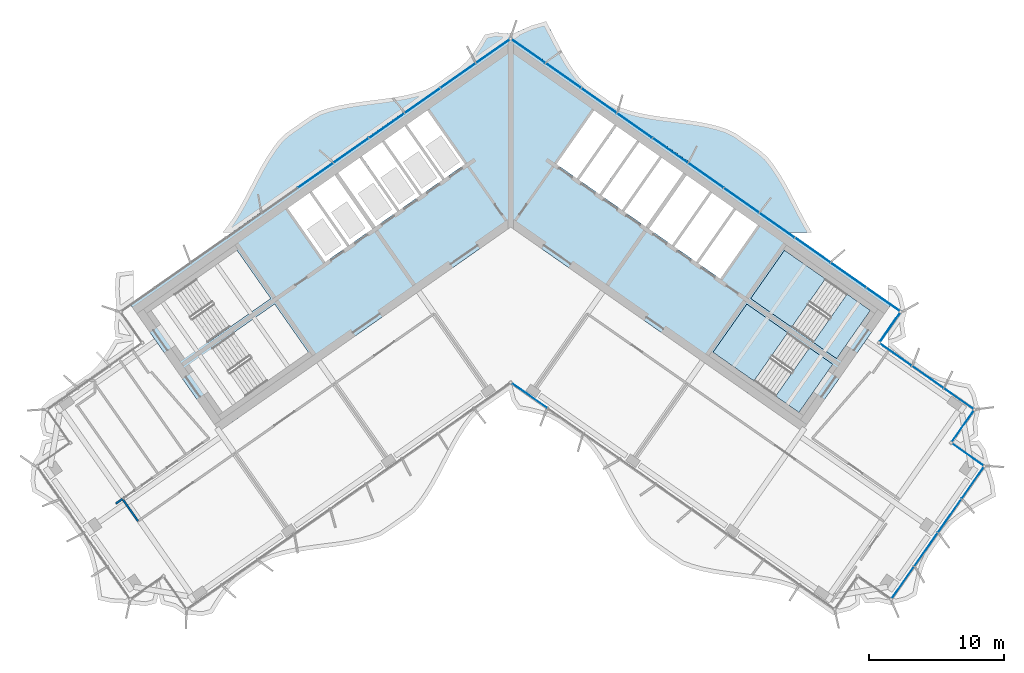
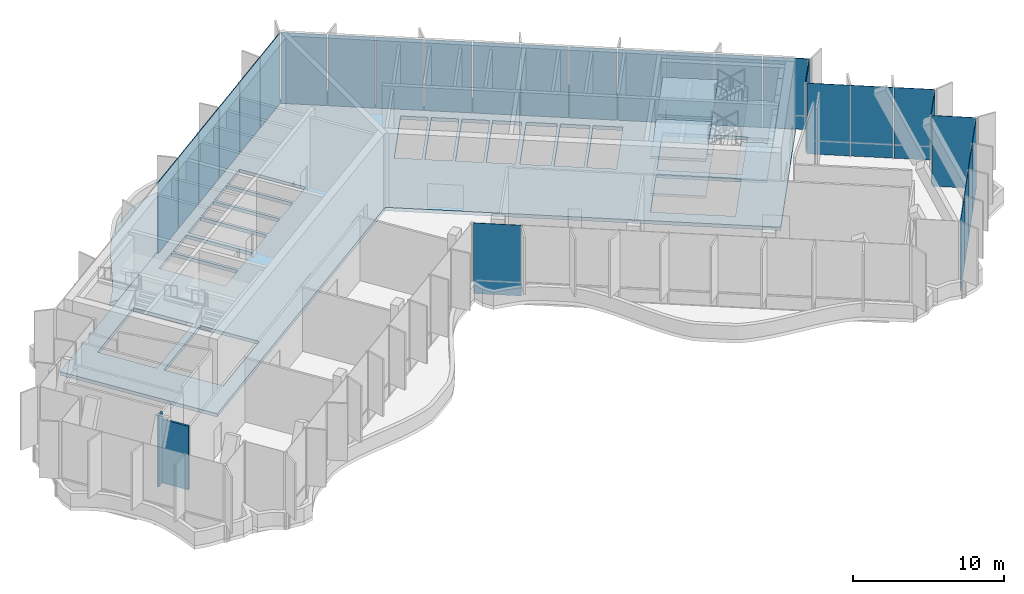
# One storey, part 11 of 22: 28 plates, 8 slabs, 2 walls, 4 elements without a shape of their own.
"""IFC4 building model written with IfcOpenShell, lengths in metres."""

from ifc_helpers import new_model, si_unit, direction, frame, frame_2d, origin, origin_2d, place, context, subcontext, project, spatial, polyline, rectangle, outline, extrude, material, layer, layer_set, type_object, element, aggregate, save


model = new_model("IFC4")

# Units and contexts
model_context = context("Model", 3, precision=1e-05, world=origin(), true_north=direction((0.0, 1.0)))
body_context = subcontext(model_context, "Body", "Model", "MODEL_VIEW")
ifc_project = project(units=[si_unit("LENGTHUNIT", "METRE"), si_unit("AREAUNIT", "SQUARE_METRE"), si_unit("VOLUMEUNIT", "CUBIC_METRE"), si_unit("PLANEANGLEUNIT", "RADIAN"), si_unit("MASSUNIT", "GRAM", prefix="KILO")], contexts=[model_context])

# Site, building, storey
site_placement = place(None, origin())
site = spatial("IfcSite", under=ifc_project, at=site_placement, CompositionType="ELEMENT")
building_placement = place(site_placement, origin())
building = spatial("IfcBuilding", under=site, at=building_placement, Name="Tel Ilan Convention Tower", CompositionType="ELEMENT")
storey_placement = place(building_placement, frame((0.0, 0.0, 219.39990234375)))
storey = spatial("IfcBuildingStorey", under=building, at=storey_placement, Name="L51", CompositionType="ELEMENT", Elevation=219.39990234375)

# Curtain wall, plates
ifc_material_1 = material(Name="Aluminium, bronze anodised", Category="aluminium")
curtain_wall_type_1 = type_object("IfcCurtainWallType", Name="CW2 STICK CURTAIN WALL, SPANDREL PANELS", PredefinedType="NOTDEFINED", material=ifc_material_1)
curtain_wall_1_placement = place(storey_placement, origin())
curtain_wall_1 = element("IfcCurtainWall", 1, at=curtain_wall_1_placement, inside=storey, type_object=curtain_wall_type_1, Name="Curtain wall CW2-40.01", PredefinedType="NOTDEFINED")
ifc_material_2 = material(Name="Aluminium composite panel, bronze anodised", Category="aluminium")
ifc_layer_1 = layer(ifc_material_2, 0.06005859375)
ifc_layer_set_1 = layer_set([ifc_layer_1], Name="CW SPANDREL PANEL 60")
plate_type_1 = type_object("IfcPlateType", Name="CW SPANDREL PANEL 60", PredefinedType="CURTAIN_PANEL", material=ifc_layer_set_1)
plate_1_placement = place(storey_placement, frame((28.033935546875, -8.60546875, 0.0), z_axis=(0.0, 0.0, 1.0), x_axis=(0.573576436351, 0.819152044289, 0.0)))
plate_1 = element("IfcPlate", 2, at=plate_1_placement, type_object=plate_type_1, Name="Spandrel panel", PredefinedType="CURTAIN_PANEL", context=body_context, shape_type="SweptSolid", body=[
    extrude(rectangle(XDim=2.658935546875, YDim=0.06005859375, at=origin_2d()), origin(), (0.0, 0.0, 1.0), 5.719970703125),
])
plate_2_placement = place(storey_placement, frame((27.5400390625, -6.587646484375, 0.0), z_axis=(0.0, 0.0, 1.0), x_axis=(-0.819152044289, 0.573576436351, 0.0)))
plate_2 = element("IfcPlate", 3, at=plate_2_placement, type_object=plate_type_1, Name="Spandrel panel", PredefinedType="CURTAIN_PANEL", context=body_context, shape_type="SweptSolid", body=[
    extrude(rectangle(XDim=3.0439453125, YDim=0.06005859375, at=origin_2d()), origin(), (0.0, 0.0, 1.0), 5.719970703125),
])
plate_3_placement = place(storey_placement, frame((24.95263671875, -4.77587890625, 0.0), z_axis=(0.0, 0.0, 1.0), x_axis=(-0.819152044289, 0.573576436351, 0.0)))
plate_3 = element("IfcPlate", 4, at=plate_3_placement, type_object=plate_type_1, Name="Spandrel panel", PredefinedType="CURTAIN_PANEL", context=body_context, shape_type="SweptSolid", body=[
    extrude(rectangle(XDim=3.15380859375, YDim=0.06005859375, at=origin_2d()), origin(), (0.0, 0.0, 1.0), 5.719970703125),
])
plate_4_placement = place(storey_placement, frame((22.31982421875, -2.9326171875, 0.0), z_axis=(0.0, 0.0, 1.0), x_axis=(-0.819152044289, 0.573576436351, 0.0)))
plate_4 = element("IfcPlate", 5, at=plate_4_placement, type_object=plate_type_1, Name="Spandrel panel", PredefinedType="CURTAIN_PANEL", context=body_context, shape_type="SweptSolid", body=[
    extrude(rectangle(XDim=3.15380859375, YDim=0.06005859375, at=origin_2d()), origin(), (0.0, 0.0, 1.0), 5.719970703125),
])
plate_5_placement = place(storey_placement, frame((19.687255859375, -1.089111328125, 0.0), z_axis=(0.0, 0.0, 1.0), x_axis=(-0.819152044289, 0.573576436351, 0.0)))
plate_5 = element("IfcPlate", 6, at=plate_5_placement, type_object=plate_type_1, Name="Spandrel panel", PredefinedType="CURTAIN_PANEL", context=body_context, shape_type="SweptSolid", body=[
    extrude(rectangle(XDim=3.15380859375, YDim=0.06005859375, at=origin_2d()), origin(), (0.0, 0.0, 1.0), 5.719970703125),
])
plate_6_placement = place(storey_placement, frame((17.0546875, 0.754150390625, 0.0), z_axis=(0.0, 0.0, 1.0), x_axis=(-0.819152044289, 0.573576436351, 0.0)))
plate_6 = element("IfcPlate", 7, at=plate_6_placement, type_object=plate_type_1, Name="Spandrel panel", PredefinedType="CURTAIN_PANEL", context=body_context, shape_type="SweptSolid", body=[
    extrude(rectangle(XDim=3.15380859375, YDim=0.06005859375, at=origin_2d()), origin(), (0.0, 0.0, 1.0), 5.719970703125),
])
plate_7_placement = place(storey_placement, frame((14.422119140625, 2.59765625, 0.0), z_axis=(0.0, 0.0, 1.0), x_axis=(-0.819152044289, 0.573576436351, 0.0)))
plate_7 = element("IfcPlate", 8, at=plate_7_placement, type_object=plate_type_1, Name="Spandrel panel", PredefinedType="CURTAIN_PANEL", context=body_context, shape_type="SweptSolid", body=[
    extrude(rectangle(XDim=3.15380859375, YDim=0.06005859375, at=origin_2d()), origin(), (0.0, 0.0, 1.0), 5.719970703125),
])
plate_8_placement = place(storey_placement, frame((11.789306640625, 4.44091796875, 0.0), z_axis=(0.0, 0.0, 1.0), x_axis=(-0.819152044289, 0.573576436351, 0.0)))
plate_8 = element("IfcPlate", 9, at=plate_8_placement, type_object=plate_type_1, Name="Spandrel panel", PredefinedType="CURTAIN_PANEL", context=body_context, shape_type="SweptSolid", body=[
    extrude(rectangle(XDim=3.15380859375, YDim=0.06005859375, at=origin_2d()), origin(), (0.0, 0.0, 1.0), 5.719970703125),
])
plate_9_placement = place(storey_placement, frame((9.15673828125, 6.284423828125, 0.0), z_axis=(0.0, 0.0, 1.0), x_axis=(-0.819152044289, 0.573576436351, 0.0)))
plate_9 = element("IfcPlate", 10, at=plate_9_placement, type_object=plate_type_1, Name="Spandrel panel", PredefinedType="CURTAIN_PANEL", context=body_context, shape_type="SweptSolid", body=[
    extrude(rectangle(XDim=3.15380859375, YDim=0.06005859375, at=origin_2d()), origin(), (0.0, 0.0, 1.0), 5.719970703125),
])
plate_10_placement = place(storey_placement, frame((6.524169921875, 8.127685546875, 0.0), z_axis=(0.0, 0.0, 1.0), x_axis=(-0.819152044289, 0.573576436351, 0.0)))
plate_10 = element("IfcPlate", 11, at=plate_10_placement, type_object=plate_type_1, Name="Spandrel panel", PredefinedType="CURTAIN_PANEL", context=body_context, shape_type="SweptSolid", body=[
    extrude(rectangle(XDim=3.15380859375, YDim=0.06005859375, at=origin_2d()), origin(), (0.0, 0.0, 1.0), 5.719970703125),
])
plate_11_placement = place(storey_placement, frame((3.8916015625, 9.97119140625, 0.0), z_axis=(0.0, 0.0, 1.0), x_axis=(-0.819152044289, 0.573576436351, 0.0)))
plate_11 = element("IfcPlate", 12, at=plate_11_placement, type_object=plate_type_1, Name="Spandrel panel", PredefinedType="CURTAIN_PANEL", context=body_context, shape_type="SweptSolid", body=[
    extrude(rectangle(XDim=3.15380859375, YDim=0.06005859375, at=origin_2d()), origin(), (0.0, 0.0, 1.0), 5.719970703125),
])
plate_12_placement = place(storey_placement, frame((1.303955078125, 11.782958984375, 0.0), z_axis=(0.0, 0.0, 1.0), x_axis=(-0.819152044289, 0.573576436351, 0.0)))
plate_12 = element("IfcPlate", 13, at=plate_12_placement, type_object=plate_type_1, Name="Spandrel panel", PredefinedType="CURTAIN_PANEL", context=body_context, shape_type="SweptSolid", body=[
    extrude(rectangle(XDim=3.0439453125, YDim=0.06005859375, at=origin_2d()), origin(), (0.0, 0.0, 1.0), 5.719970703125),
])
plate_13_placement = place(storey_placement, frame((-1.303955078125, 11.782958984375, 0.0), z_axis=(0.0, 0.0, 1.0), x_axis=(-0.819152044289, -0.573576436351, 0.0)))
plate_13 = element("IfcPlate", 14, at=plate_13_placement, type_object=plate_type_1, Name="Spandrel panel", PredefinedType="CURTAIN_PANEL", context=body_context, shape_type="SweptSolid", body=[
    extrude(rectangle(XDim=3.0439453125, YDim=0.06005859375, at=origin_2d()), origin(), (0.0, 0.0, 1.0), 5.719970703125),
])
plate_14_placement = place(storey_placement, frame((-3.8916015625, 9.97119140625, 0.0), z_axis=(0.0, 0.0, 1.0), x_axis=(-0.819152044289, -0.573576436351, 0.0)))
plate_14 = element("IfcPlate", 15, at=plate_14_placement, type_object=plate_type_1, Name="Spandrel panel", PredefinedType="CURTAIN_PANEL", context=body_context, shape_type="SweptSolid", body=[
    extrude(rectangle(XDim=3.15380859375, YDim=0.06005859375, at=origin_2d()), origin(), (0.0, 0.0, 1.0), 5.719970703125),
])
plate_15_placement = place(storey_placement, frame((-6.524169921875, 8.127685546875, 0.0), z_axis=(0.0, 0.0, 1.0), x_axis=(-0.819152044289, -0.573576436351, 0.0)))
plate_15 = element("IfcPlate", 16, at=plate_15_placement, type_object=plate_type_1, Name="Spandrel panel", PredefinedType="CURTAIN_PANEL", context=body_context, shape_type="SweptSolid", body=[
    extrude(rectangle(XDim=3.15380859375, YDim=0.06005859375, at=origin_2d()), origin(), (0.0, 0.0, 1.0), 5.719970703125),
])
plate_16_placement = place(storey_placement, frame((-9.15673828125, 6.284423828125, 0.0), z_axis=(0.0, 0.0, 1.0), x_axis=(-0.819152044289, -0.573576436351, 0.0)))
plate_16 = element("IfcPlate", 17, at=plate_16_placement, type_object=plate_type_1, Name="Spandrel panel", PredefinedType="CURTAIN_PANEL", context=body_context, shape_type="SweptSolid", body=[
    extrude(rectangle(XDim=3.15380859375, YDim=0.06005859375, at=origin_2d()), origin(), (0.0, 0.0, 1.0), 5.719970703125),
])
plate_17_placement = place(storey_placement, frame((-11.789306640625, 4.44091796875, 0.0), z_axis=(0.0, 0.0, 1.0), x_axis=(-0.819152044289, -0.573576436351, 0.0)))
plate_17 = element("IfcPlate", 18, at=plate_17_placement, type_object=plate_type_1, Name="Spandrel panel", PredefinedType="CURTAIN_PANEL", context=body_context, shape_type="SweptSolid", body=[
    extrude(rectangle(XDim=3.15380859375, YDim=0.06005859375, at=origin_2d()), origin(), (0.0, 0.0, 1.0), 5.719970703125),
])
plate_18_placement = place(storey_placement, frame((-14.422119140625, 2.59765625, 0.0), z_axis=(0.0, 0.0, 1.0), x_axis=(-0.819152044289, -0.573576436351, 0.0)))
plate_18 = element("IfcPlate", 19, at=plate_18_placement, type_object=plate_type_1, Name="Spandrel panel", PredefinedType="CURTAIN_PANEL", context=body_context, shape_type="SweptSolid", body=[
    extrude(rectangle(XDim=3.15380859375, YDim=0.06005859375, at=origin_2d()), origin(), (0.0, 0.0, 1.0), 5.719970703125),
])
aggregate(curtain_wall_1, [plate_1, plate_2, plate_3, plate_4, plate_5, plate_6, plate_7, plate_8, plate_9, plate_10, plate_11, plate_12, plate_13, plate_14, plate_15, plate_16, plate_17, plate_18])

ifc_material_3 = material(Name="Aluminium, bronze anodised", Category="aluminium")
curtain_wall_type_2 = type_object("IfcCurtainWallType", Name="CW5 STICK CURTAIN WALL, UPPER OFFICE LOW-IRON TINTED GLASS", PredefinedType="NOTDEFINED", material=ifc_material_3)
curtain_wall_2_placement = place(storey_placement, origin())
curtain_wall_2 = element("IfcCurtainWall", 20, at=curtain_wall_2_placement, inside=storey, type_object=curtain_wall_type_2, Name="Curtain wall CW5-40.02", PredefinedType="NOTDEFINED")
ifc_material_4 = material(Name="Glass, low-iron bronze tinted, two-ply", Category="glass")
ifc_layer_2 = layer(ifc_material_4, 0.031982421875)
ifc_layer_set_2 = layer_set([ifc_layer_2], Name="CW UPPER GLASS PANEL 32")
plate_type_2 = type_object("IfcPlateType", Name="CW UPPER GLASS PANEL 32", PredefinedType="CURTAIN_PANEL", material=ifc_layer_set_2)
plate_19_placement = place(storey_placement, frame((1.400390625, -13.676513671875, 0.0), z_axis=(0.0, 0.0, 1.0), x_axis=(0.819152044289, -0.573576436351, 0.0)))
plate_19 = element("IfcPlate", 21, at=plate_19_placement, type_object=plate_type_2, Name="Glass panel", PredefinedType="CURTAIN_PANEL", context=body_context, shape_type="SweptSolid", body=[
    extrude(rectangle(XDim=3.16064453125, YDim=0.028076171875, at=origin_2d()), origin(), (0.0, 0.0, 1.0), 5.719970703125),
])
plate_20_placement = place(storey_placement, frame((28.956298828125, -27.51220703125, 0.0), z_axis=(0.0, 0.0, 1.0), x_axis=(0.573576436351, 0.819152044289, 0.0)))
plate_20 = element("IfcPlate", 22, at=plate_20_placement, type_object=plate_type_2, Name="Glass panel", PredefinedType="CURTAIN_PANEL", context=body_context, shape_type="SweptSolid", body=[
    extrude(rectangle(XDim=2.89599609375, YDim=0.028076171875, at=origin_2d()), origin(), (0.0, 0.0, 1.0), 5.719970703125),
])
plate_21_placement = place(storey_placement, frame((30.6787109375, -25.05224609375, 0.0), z_axis=(0.0, 0.0, 1.0), x_axis=(0.573576436351, 0.819152044289, 0.0)))
plate_21 = element("IfcPlate", 23, at=plate_21_placement, type_object=plate_type_2, Name="Glass panel", PredefinedType="CURTAIN_PANEL", context=body_context, shape_type="SweptSolid", body=[
    extrude(rectangle(XDim=2.989990234375, YDim=0.028076171875, at=origin_2d()), origin(), (0.0, 0.0, 1.0), 5.719970703125),
])
plate_22_placement = place(storey_placement, frame((32.42822265625, -22.553955078125, 0.0), z_axis=(0.0, 0.0, 1.0), x_axis=(0.573576436351, 0.819152044289, 0.0)))
plate_22 = element("IfcPlate", 24, at=plate_22_placement, type_object=plate_type_2, Name="Glass panel", PredefinedType="CURTAIN_PANEL", context=body_context, shape_type="SweptSolid", body=[
    extrude(rectangle(XDim=2.989990234375, YDim=0.028076171875, at=origin_2d()), origin(), (0.0, 0.0, 1.0), 5.719970703125),
])
plate_23_placement = place(storey_placement, frame((34.150634765625, -20.093994140625, 0.0), z_axis=(0.0, 0.0, 1.0), x_axis=(0.573576436351, 0.819152044289, 0.0)))
plate_23 = element("IfcPlate", 25, at=plate_23_placement, type_object=plate_type_2, Name="Glass panel", PredefinedType="CURTAIN_PANEL", context=body_context, shape_type="SweptSolid", body=[
    extrude(rectangle(XDim=2.89599609375, YDim=0.028076171875, at=origin_2d()), origin(), (0.0, 0.0, 1.0), 5.719970703125),
])
plate_24_placement = place(storey_placement, frame((33.7978515625, -18.0498046875, 0.0), z_axis=(0.0, 0.0, 1.0), x_axis=(-0.819152044289, 0.573576436351, 0.0)))
plate_24 = element("IfcPlate", 26, at=plate_24_placement, type_object=plate_type_2, Name="Glass panel", PredefinedType="CURTAIN_PANEL", context=body_context, shape_type="SweptSolid", body=[
    extrude(rectangle(XDim=2.875, YDim=0.028076171875, at=origin_2d()), origin(), (0.0, 0.0, 1.0), 5.719970703125),
])
plate_25_placement = place(storey_placement, frame((33.419921875, -15.9072265625, 0.0), z_axis=(0.0, 0.0, 1.0), x_axis=(0.573576436351, 0.819152044289, 0.0)))
plate_25 = element("IfcPlate", 27, at=plate_25_placement, type_object=plate_type_2, Name="Glass panel", PredefinedType="CURTAIN_PANEL", context=body_context, shape_type="SweptSolid", body=[
    extrude(rectangle(XDim=2.875, YDim=0.028076171875, at=origin_2d()), origin(), (0.0, 0.0, 1.0), 5.719970703125),
])
plate_26_placement = place(storey_placement, frame((33.12744140625, -13.918212890625, 0.0), z_axis=(0.0, 0.0, 1.0), x_axis=(-0.819152044289, 0.573576436351, 0.0)))
plate_26 = element("IfcPlate", 28, at=plate_26_placement, type_object=plate_type_2, Name="Glass panel", PredefinedType="CURTAIN_PANEL", context=body_context, shape_type="SweptSolid", body=[
    extrude(rectangle(XDim=2.712646484375, YDim=0.028076171875, at=origin_2d()), origin(), (0.0, 0.0, 1.0), 5.719970703125),
])
plate_27_placement = place(storey_placement, frame((30.81787109375, -12.301025390625, 0.0), z_axis=(0.0, 0.0, 1.0), x_axis=(-0.819152044289, 0.573576436351, 0.0)))
plate_27 = element("IfcPlate", 29, at=plate_27_placement, type_object=plate_type_2, Name="Glass panel", PredefinedType="CURTAIN_PANEL", context=body_context, shape_type="SweptSolid", body=[
    extrude(rectangle(XDim=2.806640625, YDim=0.028076171875, at=origin_2d()), origin(), (0.0, 0.0, 1.0), 5.719970703125),
])
plate_28_placement = place(storey_placement, frame((28.457763671875, -10.6484375, 0.0), z_axis=(0.0, 0.0, 1.0), x_axis=(-0.819152044289, 0.573576436351, 0.0)))
plate_28 = element("IfcPlate", 30, at=plate_28_placement, type_object=plate_type_2, Name="Glass panel", PredefinedType="CURTAIN_PANEL", context=body_context, shape_type="SweptSolid", body=[
    extrude(rectangle(XDim=2.835693359375, YDim=0.028076171875, at=origin_2d()), origin(), (0.0, 0.0, 1.0), 5.719970703125),
])
aggregate(curtain_wall_2, [plate_19, plate_20, plate_21, plate_22, plate_23, plate_24, plate_25, plate_26, plate_27, plate_28])

# Stair, slabs
ifc_material_5 = material(Name="Concrete C40/50", Category="concrete")
stair_type = type_object("IfcStairType", Name="Pressurised Exit Stair 32 risers 188 mm", PredefinedType="HALF_TURN_STAIR", material=ifc_material_5)
stair_1_placement = place(storey_placement, origin())
stair_1 = element("IfcStair", 31, at=stair_1_placement, inside=storey, type_object=stair_type, Name="L51 Pressurised Stair S3", PredefinedType="HALF_TURN_STAIR")
ifc_material_6 = material(Name="Concrete C40/50", Category="concrete")
ifc_layer_3 = layer(ifc_material_6, 0.199951171875)
ifc_layer_set_3 = layer_set([ifc_layer_3], Name="Concrete Stair Landing 200 mm C40/50")
slab_type_1 = type_object("IfcSlabType", Name="Concrete Stair Landing 200 mm", PredefinedType="LANDING", material=ifc_layer_set_3)
slab_1_placement = place(storey_placement, frame((0.0, 0.0, 1.300048828125)))
slab_1 = element("IfcSlab", 32, at=slab_1_placement, type_object=slab_type_1, Name="S3 landing 1", PredefinedType="LANDING", context=body_context, shape_type="SweptSolid", body=[
    extrude(outline(polyline([(23.249755859375, -5.048583984375), (20.226318359375, -2.931640625), (17.7314453125, -6.494873046875), (20.754638671875, -8.61181640625), (23.249755859375, -5.048583984375)])), origin(), (0.0, 0.0, 1.0), 0.199951171875),
])
slab_2_placement = place(storey_placement, frame((0.0, 0.0, 2.800048828125)))
slab_2 = element("IfcSlab", 33, at=slab_2_placement, type_object=slab_type_1, Name="S3 landing 2", PredefinedType="LANDING", context=body_context, shape_type="SweptSolid", body=[
    extrude(outline(polyline([(26.574951171875, -7.376708984375), (24.85400390625, -6.171875), (22.35888671875, -9.735107421875), (24.079833984375, -10.940185546875), (26.574951171875, -7.376708984375)])), origin(), (0.0, 0.0, 1.0), 0.199951171875),
])
slab_3_placement = place(storey_placement, frame((0.0, 0.0, 4.300048828125)))
slab_3 = element("IfcSlab", 34, at=slab_3_placement, type_object=slab_type_1, Name="S3 landing 3", PredefinedType="LANDING", context=body_context, shape_type="SweptSolid", body=[
    extrude(outline(polyline([(23.249755859375, -5.048583984375), (20.226318359375, -2.931640625), (17.7314453125, -6.494873046875), (20.754638671875, -8.61181640625), (23.249755859375, -5.048583984375)])), origin(), (0.0, 0.0, 1.0), 0.199951171875),
])
aggregate(stair_1, [slab_1, slab_2, slab_3])

stair_2_placement = place(storey_placement, origin())
stair_2 = element("IfcStair", 35, at=stair_2_placement, inside=storey, type_object=stair_type, Name="L51 Pressurised Stair S4", PredefinedType="HALF_TURN_STAIR")
slab_4_placement = place(storey_placement, frame((0.0, 0.0, 1.300048828125)))
slab_4 = element("IfcSlab", 36, at=slab_4_placement, type_object=slab_type_1, Name="S4 landing 1", PredefinedType="LANDING", context=body_context, shape_type="SweptSolid", body=[
    extrude(outline(polyline([(20.468017578125, -9.021484375), (17.444580078125, -6.904541015625), (14.949462890625, -10.4677734375), (17.972900390625, -12.584716796875), (20.468017578125, -9.021484375)])), origin(), (0.0, 0.0, 1.0), 0.199951171875),
])
slab_5_placement = place(storey_placement, frame((0.0, 0.0, 2.800048828125)))
slab_5 = element("IfcSlab", 37, at=slab_5_placement, type_object=slab_type_1, Name="S4 landing 2", PredefinedType="LANDING", context=body_context, shape_type="SweptSolid", body=[
    extrude(outline(polyline([(23.79296875, -11.349609375), (22.072021484375, -10.144775390625), (19.5771484375, -13.7080078125), (21.2978515625, -14.9130859375), (23.79296875, -11.349609375)])), origin(), (0.0, 0.0, 1.0), 0.199951171875),
])
slab_6_placement = place(storey_placement, frame((0.0, 0.0, 4.300048828125)))
slab_6 = element("IfcSlab", 38, at=slab_6_placement, type_object=slab_type_1, Name="S4 landing 3", PredefinedType="LANDING", context=body_context, shape_type="SweptSolid", body=[
    extrude(outline(polyline([(20.468017578125, -9.021484375), (17.444580078125, -6.904541015625), (14.949462890625, -10.4677734375), (17.972900390625, -12.584716796875), (20.468017578125, -9.021484375)])), origin(), (0.0, 0.0, 1.0), 0.199951171875),
])
aggregate(stair_2, [slab_4, slab_5, slab_6])

# Slabs
ifc_material_7 = material(Name="Concrete C40/50", Category="concrete")
ifc_layer_4 = layer(ifc_material_7, 0.280029296875)
ifc_layer_set_4 = layer_set([ifc_layer_4], Name="Core Floor Slab 280 mm C40/50")
slab_type_2 = type_object("IfcSlabType", Name="Core Floor Slab 280 mm C40/50", PredefinedType="FLOOR", material=ifc_layer_set_4)
slab_7_placement = place(storey_placement, frame((0.0, 0.0, -0.27978515625)))
element("IfcSlab", 39, at=slab_7_placement, inside=storey, type_object=slab_type_2, Name="L51 core floor 1", PredefinedType="FLOOR", context=body_context, shape_type="SweptSolid", body=[
    extrude(outline(polyline([(0.0, 12.818115234375), (28.1396484375, -6.885498046875), (21.54345703125, -16.3056640625), (0.0, -1.220703125), (-21.54345703125, -16.3056640625), (-28.1396484375, -6.885498046875), (-13.013916015625, 3.705810546875), (-6.48876953125, 8.274658203125), (-4.6650390625, 9.5517578125), (-0.2412109375, 12.6494140625), (0.0, 12.818115234375)]), holes=[polyline([(-14.949462890625, -10.4677734375), (-17.444580078125, -6.904541015625), (-22.072021484375, -10.144775390625), (-19.5771484375, -13.7080078125), (-14.949462890625, -10.4677734375)]), polyline([(-17.7314453125, -6.494873046875), (-20.226318359375, -2.931640625), (-24.85400390625, -6.171875), (-22.35888671875, -9.735107421875), (-17.7314453125, -6.494873046875)]), polyline([(-14.864990234375, 1.310791015625), (-16.48291015625, 0.177978515625), (-13.701171875, -3.794921875), (-12.083251953125, -2.662109375), (-14.864990234375, 1.310791015625)]), polyline([(-13.001708984375, 2.615478515625), (-14.701416015625, 1.425537109375), (-11.91943359375, -2.54736328125), (-10.2197265625, -1.357421875), (-13.001708984375, 2.615478515625)]), polyline([(-11.168701171875, 3.89892578125), (-12.755859375, 2.78759765625), (-9.97412109375, -1.185302734375), (-8.386962890625, -0.073974609375), (-11.168701171875, 3.89892578125)]), polyline([(-9.499755859375, 5.067626953125), (-11.0048828125, 4.013671875), (-8.222900390625, 0.040771484375), (-6.718017578125, 1.0947265625), (-9.499755859375, 5.067626953125)]), polyline([(-7.830810546875, 6.236328125), (-9.3359375, 5.182373046875), (-6.553955078125, 1.20947265625), (-5.048828125, 2.263427734375), (-7.830810546875, 6.236328125)]), polyline([(-6.16162109375, 7.405029296875), (-7.666748046875, 6.35107421875), (-4.885009765625, 2.378173828125), (-3.3798828125, 3.43212890625), (-6.16162109375, 7.405029296875)]), polyline([(4.885009765625, 2.378173828125), (7.666748046875, 6.35107421875), (6.16162109375, 7.405029296875), (3.3798828125, 3.43212890625), (4.885009765625, 2.378173828125)]), polyline([(17.444580078125, -6.904541015625), (14.949462890625, -10.4677734375), (19.5771484375, -13.7080078125), (22.072021484375, -10.144775390625), (17.444580078125, -6.904541015625)]), polyline([(20.226318359375, -2.931640625), (17.7314453125, -6.494873046875), (22.35888671875, -9.735107421875), (24.85400390625, -6.171875), (20.226318359375, -2.931640625)]), polyline([(15.48291015625, -5.04248046875), (18.2646484375, -1.069580078125), (16.646728515625, 0.063232421875), (13.864990234375, -3.90966796875), (15.48291015625, -5.04248046875)]), polyline([(13.701171875, -3.794921875), (16.48291015625, 0.177978515625), (14.864990234375, 1.310791015625), (12.083251953125, -2.662109375), (13.701171875, -3.794921875)]), polyline([(11.91943359375, -2.54736328125), (14.701416015625, 1.425537109375), (13.001708984375, 2.615478515625), (10.2197265625, -1.357421875), (11.91943359375, -2.54736328125)]), polyline([(9.97412109375, -1.185302734375), (12.755859375, 2.78759765625), (11.168701171875, 3.89892578125), (8.386962890625, -0.073974609375), (9.97412109375, -1.185302734375)]), polyline([(6.718017578125, 1.0947265625), (8.222900390625, 0.040771484375), (11.0048828125, 4.013671875), (9.499755859375, 5.067626953125), (6.718017578125, 1.0947265625)]), polyline([(5.048828125, 2.263427734375), (6.553955078125, 1.20947265625), (9.3359375, 5.182373046875), (7.830810546875, 6.236328125), (5.048828125, 2.263427734375)])]), origin(), (0.0, 0.0, 1.0), 0.27978515625),
])
ifc_material_8 = material(Name="Concrete C40/50", Category="concrete")
ifc_layer_5 = layer(ifc_material_8, 0.280029296875)
ifc_layer_set_5 = layer_set([ifc_layer_5], Name="Edge Ledge Slab 280 mm C40/50")
slab_type_3 = type_object("IfcSlabType", Name="Edge Ledge Slab 280 mm C40/50", PredefinedType="FLOOR", material=ifc_layer_set_5)
slab_8_placement = place(storey_placement, frame((0.0, 0.0, -0.27978515625)))
element("IfcSlab", 40, at=slab_8_placement, inside=storey, type_object=slab_type_3, Name="L51 edge ledge 2", PredefinedType="FLOOR", context=body_context, shape_type="SweptSolid", body=[
    extrude(outline(polyline([(-19.60009765625, 1.004150390625), (-19.217529296875, 1.741943359375), (-18.83642578125, 2.481689453125), (-18.44677734375, 3.209228515625), (-18.0390625, 3.910888671875), (-17.604736328125, 4.574951171875), (-17.13671875, 5.190185546875), (-16.6015625, 5.71044921875), (-14.791748046875, 6.977783203125), (-14.1416015625, 7.33349609375), (-13.41064453125, 7.573486328125), (-12.644287109375, 7.76318359375), (-11.849853515625, 7.91259765625), (-11.03564453125, 8.033935546875), (-10.211181640625, 8.140380859375), (-9.385986328125, 8.24609375), (-8.570068359375, 8.36474609375), (-7.7724609375, 8.509765625), (-7.002197265625, 8.693603515625), (-6.26611328125, 8.926513671875), (-5.601806640625, 9.261962890625), (-3.7919921875, 10.529296875), (-3.2421875, 11.0283203125), (-2.769287109375, 11.63671875), (-2.3310546875, 12.294921875), (-1.919921875, 12.991943359375), (-1.14208984375, 13.1650390625), (-0.172119140625, 13.06396484375), (-0.168701171875, 13.05908203125), (-0.11474609375, 13.09521484375), (0.0, 13.1181640625), (0.11474609375, 13.09521484375), (0.168701171875, 13.05908203125), (0.172119140625, 13.06396484375), (1.4794921875, 13.647216796875), (2.6162109375, 13.986328125), (3.000244140625, 13.250732421875), (3.38134765625, 12.510986328125), (3.770263671875, 11.7822265625), (4.176513671875, 11.078369140625), (4.608642578125, 10.41162109375), (5.074462890625, 9.792724609375), (5.601806640625, 9.261962890625), (7.411865234375, 7.99462890625), (8.054931640625, 7.62890625), (8.783447265625, 7.385498046875), (9.547607421875, 7.19287109375), (10.340576171875, 7.041015625), (11.15380859375, 6.91845703125), (11.977783203125, 6.811279296875), (12.80322265625, 6.7060546875), (13.6201171875, 6.588623046875), (14.419189453125, 6.44580078125), (15.191650390625, 6.2646484375), (15.929931640625, 6.03515625), (16.6015625, 5.71044921875), (18.41162109375, 4.443115234375), (18.96826171875, 3.9541015625), (19.44384765625, 3.34912109375), (19.884033203125, 2.69384765625), (20.296142578125, 1.998291015625), (20.688720703125, 1.27490234375), (21.07080078125, 0.53662109375), (21.4521484375, -0.202880859375), (21.8427734375, -0.928955078125), (22.25341796875, -1.631591796875), (20.63623046875, -1.631591796875), (0.0, 12.818115234375), (-20.63623046875, -1.631591796875), (-21.30126953125, -1.631591796875), (-20.849609375, -1.0634765625), (-20.4072265625, -0.4111328125), (-19.993408203125, 0.281982421875), (-19.60009765625, 1.004150390625)])), origin(), (0.0, 0.0, 1.0), 0.27978515625),
])

# Walls
ifc_material_9 = material(Name="Plasterboard on Steel Studs", Category="steel")
ifc_layer_6 = layer(ifc_material_9, 0.14990234375)
ifc_layer_set_6 = layer_set([ifc_layer_6], Name="Fire-rated Partition 150 EI 60")
wall_type = type_object("IfcWallType", Name="Fire-rated Partition 150 EI 60", PredefinedType="PARTITIONING", material=ifc_layer_set_6)
wall_1_placement = place(storey_placement, frame((-27.5380859375, -22.94482421875, 0.0), z_axis=(0.0, 0.0, 1.0), x_axis=(-0.573568836472, 0.819157365729, 0.0)))
element("IfcWall", 41, at=wall_1_placement, inside=storey, type_object=wall_type, Name="Partition 011", PredefinedType="PARTITIONING", context=body_context, shape_type="SweptSolid", body=[
    extrude(rectangle(XDim=2.000244140625, YDim=0.14990234375, at=frame_2d((1.0, 0.0))), origin(), (0.0, 0.0, 1.0), 5.150146484375),
])
wall_2_placement = place(storey_placement, frame((-28.68408203125, -21.3056640625, 0.0), z_axis=(0.0, 0.0, 1.0), x_axis=(-0.819307682984, -0.573354097049, 0.0)))
element("IfcWall", 42, at=wall_2_placement, inside=storey, type_object=wall_type, Name="Partition 028", PredefinedType="PARTITIONING", context=body_context, shape_type="SweptSolid", body=[
    extrude(rectangle(XDim=0.60546875, YDim=0.14990234375, at=frame_2d((0.302734375, 0.0))), origin(), (0.0, 0.0, 1.0), 5.72021484375),
])

save(model, "model.ifc")
